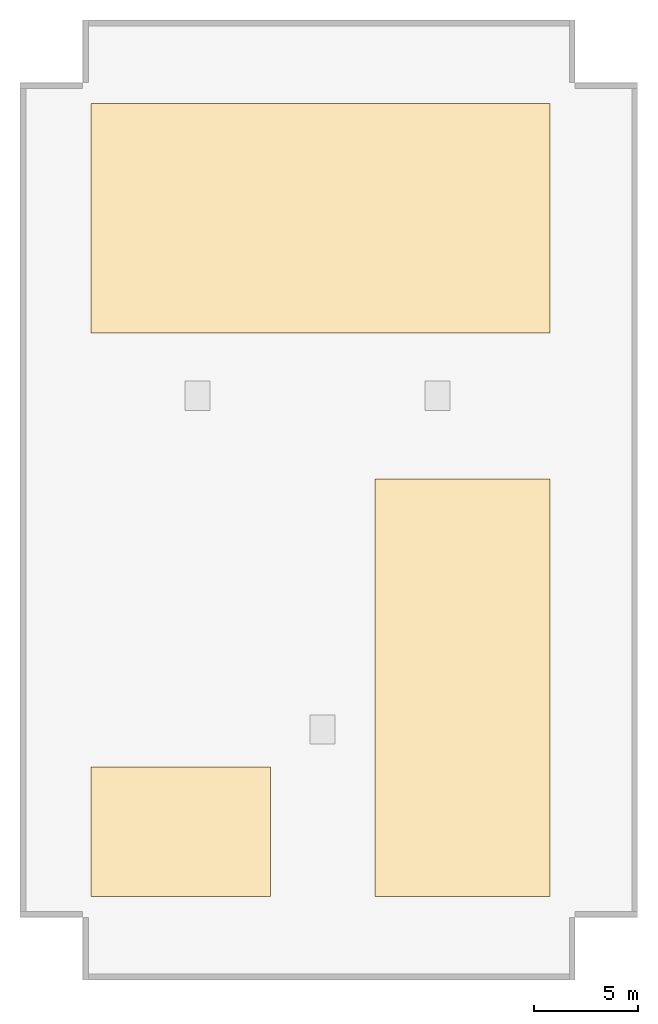
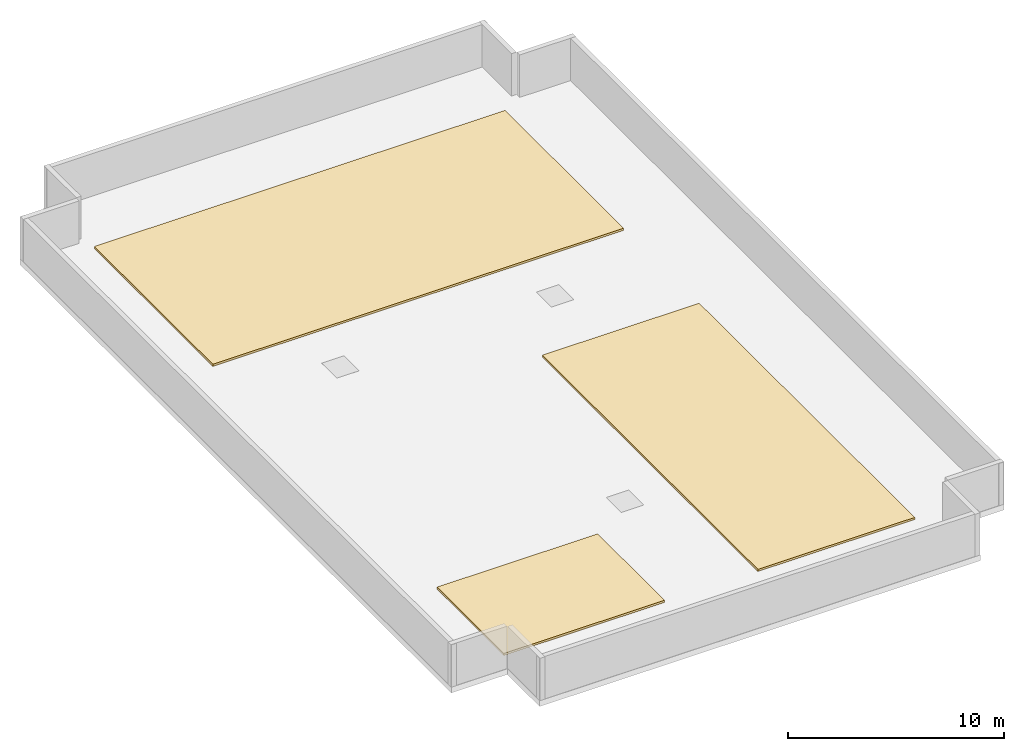
# One storey, part 2 of 2: 3 coverings.
"""IFC4 building model written with IfcOpenShell, lengths in metres."""

import ifcopenshell
import ifcopenshell.guid

model = None  # the IFC model being written
_history = None  # IfcOwnerHistory: only IFC2X3 demands one
_inside = {}  # id of a spatial element -> (the spatial element, [elements in it])
_under = {}  # id of a project, library or spatial element -> (it, [spatial elements below it])
_declared = {}  # id of a project -> (the project, [libraries it declares])
_typed = {}  # id of a type object -> (the type object, [elements of that type])
_made_of = {}  # id of a material, layer set ... -> (it, [elements and type objects made of it])


def new_model(schema):
    """Start an empty IFC model of exactly this schema.

    Asked for "IFC4X3", IfcOpenShell would pick the latest addendum, in which some entities
    have other attributes; the version numbers below select the first issue.
    IFC2X3 requires an IfcOwnerHistory on every rooted entity: one is made here for all.
    """
    global model, _history
    if schema == "IFC4X3":
        model = ifcopenshell.file(schema_version=(4, 3, 0, 0))
    else:
        model = ifcopenshell.file(schema=schema)
    _inside.clear()
    _under.clear()
    _declared.clear()
    _typed.clear()
    _made_of.clear()
    _history = None
    if model.schema == "IFC2X3":
        org = make("IfcOrganization", Name="unknown")
        user = make(
            "IfcPersonAndOrganization",
            ThePerson=make("IfcPerson", FamilyName="unknown"),
            TheOrganization=org,
        )
        app = make(
            "IfcApplication",
            ApplicationDeveloper=org,
            Version="unknown",
            ApplicationFullName="unknown",
            ApplicationIdentifier="unknown",
        )
        _history = make(
            "IfcOwnerHistory",
            OwningUser=user,
            OwningApplication=app,
            ChangeAction="ADDED",
            CreationDate=0,
        )
    return model


def make(cls, **values):
    """One entity of the class cls with the attributes given. An attribute that is None is left unset."""
    return model.create_entity(
        cls, **{name: value for name, value in values.items() if value is not None}
    )


def rooted(cls, **values):
    """An entity with a GlobalId (a new one), such as an element, a storey or a relation."""
    return make(cls, GlobalId=ifcopenshell.guid.new(), OwnerHistory=_history, **values)


def si_unit(unit_type, name, prefix=None):
    """IfcSIUnit, for example si_unit("LENGTHUNIT", "METRE", prefix="MILLI")."""
    return make("IfcSIUnit", UnitType=unit_type, Prefix=prefix, Name=name)


def assignment(units):
    """IfcUnitAssignment: the units of a project."""
    return None if units is None else make("IfcUnitAssignment", Units=units)


def point(xyz):
    """IfcCartesianPoint."""
    return None if xyz is None else make("IfcCartesianPoint", Coordinates=xyz)


def direction(xyz):
    """IfcDirection."""
    return None if xyz is None else make("IfcDirection", DirectionRatios=xyz)


def frame(location, z_axis=None, x_axis=None):
    """IfcAxis2Placement3D, a coordinate frame: its origin and axes. An axis left out is left unset."""
    return make(
        "IfcAxis2Placement3D",
        Location=point(location),
        Axis=direction(z_axis),
        RefDirection=direction(x_axis),
    )


def origin():
    """The frame at (0, 0, 0) with its axes left unset."""
    return frame((0.0, 0.0, 0.0))


def place(relative_to, where):
    """IfcLocalPlacement: puts the frame where relative to a parent placement (None: the world)."""
    return make(
        "IfcLocalPlacement", PlacementRelTo=relative_to, RelativePlacement=where
    )


def context(
    kind, dimensions, precision=None, world=None, true_north=None, identifier=None
):
    """IfcGeometricRepresentationContext, for example the 3D "Model" context."""
    return make(
        "IfcGeometricRepresentationContext",
        ContextIdentifier=identifier,
        ContextType=kind,
        CoordinateSpaceDimension=dimensions,
        Precision=precision,
        WorldCoordinateSystem=world,
        TrueNorth=true_north,
    )


def subcontext(parent, identifier, kind, view, scale=None):
    """IfcGeometricRepresentationSubContext, for example "Body" below "Model"."""
    return make(
        "IfcGeometricRepresentationSubContext",
        ContextIdentifier=identifier,
        ContextType=kind,
        ParentContext=parent,
        TargetScale=scale,
        TargetView=view,
    )


def project(units=None, contexts=None):
    """IfcProject with its units and contexts."""
    return rooted(
        "IfcProject",
        Name="project",
        RepresentationContexts=contexts,
        UnitsInContext=assignment(units),
    )


def spatial(cls, under=None, at=None, **own):
    """A site, building, storey or space (cls), placed at a placement, below another one or the project."""
    s = rooted(cls, ObjectPlacement=at, **own)
    if under is not None:
        _under.setdefault(under.id(), (under, []))[1].append(s)
    return s


def polyline(points):
    """IfcPolyline through the points."""
    return make("IfcPolyline", Points=[point(p) for p in points])


def outline(outer, holes=None, kind="AREA"):
    """IfcArbitraryClosedProfileDef: a profile drawn as a closed curve; with holes, ...WithVoids."""
    if holes is None:
        return make("IfcArbitraryClosedProfileDef", ProfileType=kind, OuterCurve=outer)
    return make(
        "IfcArbitraryProfileDefWithVoids",
        ProfileType=kind,
        OuterCurve=outer,
        InnerCurves=holes,
    )


def extrude(swept, where, along, depth):
    """IfcExtrudedAreaSolid: the profile swept, set in the frame where, extruded along a direction by depth."""
    return make(
        "IfcExtrudedAreaSolid",
        SweptArea=swept,
        Position=where,
        ExtrudedDirection=direction(along),
        Depth=depth,
    )


def shape(context_of_items, identifier, shape_type, items):
    """IfcShapeRepresentation: the items that make up one representation, for example the "Body"."""
    return make(
        "IfcShapeRepresentation",
        ContextOfItems=context_of_items,
        RepresentationIdentifier=identifier,
        RepresentationType=shape_type,
        Items=items,
    )


def material(Name=None, Category=None):
    """IfcMaterial."""
    return make("IfcMaterial", Name=Name, Category=Category)


def layer(
    of_material, thickness, ventilated=None, Name=None, Category=None, Priority=None
):
    """IfcMaterialLayer: one layer of a wall or slab, of a material (None: an air gap)."""
    return make(
        "IfcMaterialLayer",
        Material=of_material,
        LayerThickness=thickness,
        IsVentilated=ventilated,
        Name=Name,
        Category=Category,
        Priority=Priority,
    )


def layer_set(layers, Name=None):
    """IfcMaterialLayerSet."""
    return make("IfcMaterialLayerSet", MaterialLayers=layers, LayerSetName=Name)


def made_of(thing, what):
    """Note that an element or type object is made of a material, layer set ...; save() writes the relation."""
    if what is not None:
        _made_of.setdefault(what.id(), (what, []))[1].append(thing)
    return thing


def type_object(cls, material=None, **own):
    """A type object (cls), such as IfcWallType, which elements share."""
    return made_of(rooted(cls, **own), material)


def element(
    cls,
    number,
    at=None,
    inside=None,
    cuts=None,
    type_object=None,
    material=None,
    context=None,
    identifier="Body",
    shape_type=None,
    held_by="IfcProductDefinitionShape",
    body=None,
    shapes=None,
    **own,
):
    """One element of the class cls, such as IfcWall. Its Tag is "e" and its number.

    at: its placement. inside: the storey or other place that contains it. cuts: it is an
    opening in that element (IfcRelVoidsElement). A single representation is given by context,
    identifier, shape_type and body (its items); several are given by shapes. held_by: the class
    of the entity that holds the representations. save() writes the other relations.
    """
    e = rooted(cls, Tag="e%d" % number, ObjectPlacement=at, **own)
    if body is not None:
        shapes = [shape(context, identifier, shape_type, body)]
    if shapes is not None:
        e.Representation = make(held_by, Representations=shapes)
    if inside is not None:
        _inside.setdefault(inside.id(), (inside, []))[1].append(e)
    if cuts is not None:
        rooted(
            "IfcRelVoidsElement", RelatingBuildingElement=cuts, RelatedOpeningElement=e
        )
    if type_object is not None:
        _typed.setdefault(type_object.id(), (type_object, []))[1].append(e)
    return made_of(e, material)


def aggregate(whole, parts):
    """IfcRelAggregates: a whole, such as a stair, and the parts it consists of."""
    return rooted("IfcRelAggregates", RelatingObject=whole, RelatedObjects=parts)


def save(model, path):
    """Write the relations noted so far, then the file.

    IfcRelAggregates (storeys below a building ...), IfcRelContainedInSpatialStructure (elements
    in a storey), IfcRelDefinesByType, IfcRelAssociatesMaterial and IfcRelDeclares: one each for
    every whole, place, type object, material and project.
    """
    for whole, parts in _under.values():
        aggregate(whole, parts)
    for where, things in _inside.values():
        rooted(
            "IfcRelContainedInSpatialStructure",
            RelatedElements=things,
            RelatingStructure=where,
        )
    for kind, things in _typed.values():
        rooted("IfcRelDefinesByType", RelatedObjects=things, RelatingType=kind)
    for what, things in _made_of.values():
        rooted("IfcRelAssociatesMaterial", RelatedObjects=things, RelatingMaterial=what)
    for by, libraries in _declared.values():
        rooted("IfcRelDeclares", RelatingContext=by, RelatedDefinitions=libraries)
    model.write(path)


model = new_model("IFC4")

# Units and contexts
model_context = context("Model", 3, precision=1e-05, world=origin(), true_north=direction((0.0, 1.0)))
body_context = subcontext(model_context, "Body", "Model", "MODEL_VIEW")
ifc_project = project(units=[si_unit("LENGTHUNIT", "METRE"), si_unit("AREAUNIT", "SQUARE_METRE"), si_unit("VOLUMEUNIT", "CUBIC_METRE"), si_unit("PLANEANGLEUNIT", "RADIAN"), si_unit("MASSUNIT", "GRAM", prefix="KILO")], contexts=[model_context])

# Site, building, storey
site_placement = place(None, origin())
site = spatial("IfcSite", under=ifc_project, at=site_placement, CompositionType="ELEMENT")
building_placement = place(site_placement, origin())
building = spatial("IfcBuilding", under=site, at=building_placement, Name="Sulina Concourse Tower", CompositionType="ELEMENT")
storey_placement = place(building_placement, frame((0.0, 0.0, 323.0)))
storey = spatial("IfcBuildingStorey", under=building, at=storey_placement, Name="RF", CompositionType="ELEMENT", Elevation=323.0)

# Coverings
ifc_material = material(Name="EPDM waterproof roofing membrane")
ifc_layer = layer(ifc_material, 0.1201171875)
ifc_layer_set = layer_set([ifc_layer], Name="EPDM waterproof roofing membrane")
covering_type = type_object("IfcCoveringType", Name="Insulated EPDM Waterproof Roof Membrane 120mm", PredefinedType="ROOFING", material=ifc_layer_set)
covering_1_placement = place(storey_placement, origin())
element("IfcCovering", 1, at=covering_1_placement, inside=storey, type_object=covering_type, Name="RF waterproof roof membrane 1", PredefinedType="ROOFING", context=body_context, shape_type="SweptSolid", body=[
    extrude(outline(polyline([(3.39990234375, 4.0), (12.0, 4.0), (12.0, 10.199951171875), (3.39990234375, 10.199951171875), (3.39990234375, 4.0)])), origin(), (0.0, 0.0, 1.0), 0.1201171875),
])
covering_2_placement = place(storey_placement, origin())
element("IfcCovering", 2, at=covering_2_placement, inside=storey, type_object=covering_type, Name="RF waterproof roof membrane 2", PredefinedType="ROOFING", context=body_context, shape_type="SweptSolid", body=[
    extrude(outline(polyline([(17.0, 4.0), (25.39990234375, 4.0), (25.39990234375, 24.0), (17.0, 24.0), (17.0, 4.0)])), origin(), (0.0, 0.0, 1.0), 0.1201171875),
])
covering_3_placement = place(storey_placement, origin())
element("IfcCovering", 3, at=covering_3_placement, inside=storey, type_object=covering_type, Name="RF waterproof roof membrane 3", PredefinedType="ROOFING", context=body_context, shape_type="SweptSolid", body=[
    extrude(outline(polyline([(3.39990234375, 31.0), (25.39990234375, 31.0), (25.39990234375, 42.0), (3.39990234375, 42.0), (3.39990234375, 31.0)])), origin(), (0.0, 0.0, 1.0), 0.1201171875),
])

save(model, "model.ifc")
